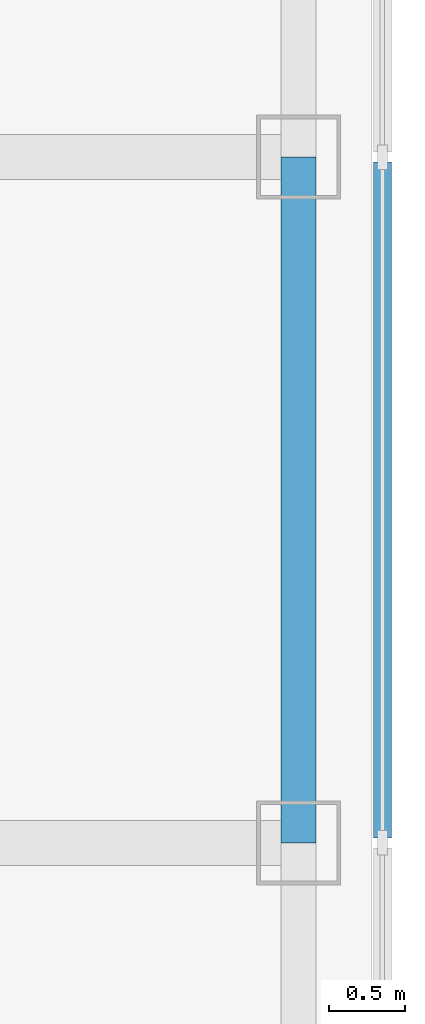
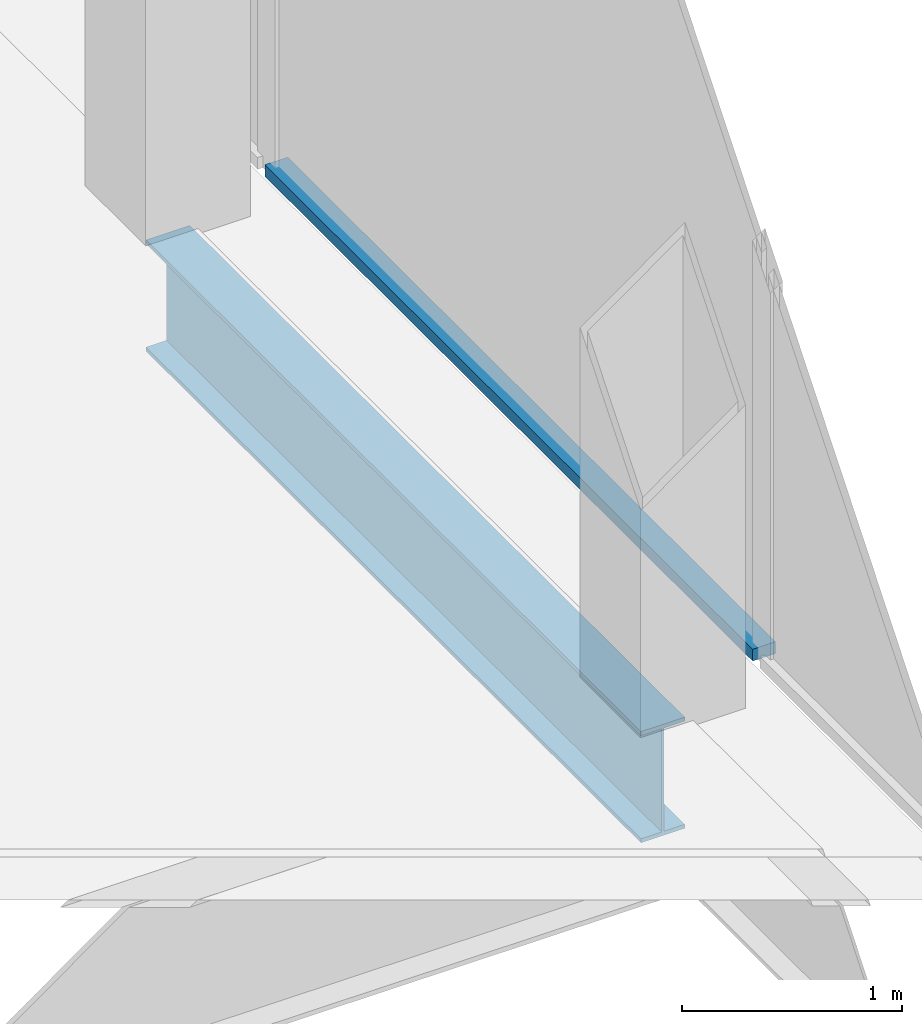
# One storey, part 5 of 13: 1 beam, 1 member, 1 element without a shape of its own.
"""IFC4 building model written with IfcOpenShell, lengths in metres."""

from ifc_helpers import new_model, si_unit, direction, frame, origin, origin_2d, place, context, subcontext, project, spatial, rectangle, i_section, extrude, material, material_profile, profile_set, type_object, element, aggregate, save


model = new_model("IFC4")

# Units and contexts
model_context = context("Model", 3, precision=1e-05, world=origin(), true_north=direction((0.0, 1.0)))
body_context = subcontext(model_context, "Body", "Model", "MODEL_VIEW")
ifc_project = project(units=[si_unit("LENGTHUNIT", "METRE"), si_unit("AREAUNIT", "SQUARE_METRE"), si_unit("VOLUMEUNIT", "CUBIC_METRE"), si_unit("PLANEANGLEUNIT", "RADIAN"), si_unit("MASSUNIT", "GRAM", prefix="KILO")], contexts=[model_context])

# Site, building, storey
site_placement = place(None, origin())
site = spatial("IfcSite", under=ifc_project, at=site_placement, CompositionType="ELEMENT")
building_placement = place(site_placement, origin())
building = spatial("IfcBuilding", under=site, at=building_placement, Name="Corais Broadcast Tower", CompositionType="ELEMENT")
storey_placement = place(building_placement, frame((0.0, 0.0, 310.60009765625)))
storey = spatial("IfcBuildingStorey", under=building, at=storey_placement, Name="L73", CompositionType="ELEMENT", Elevation=310.60009765625)

# Beam
ifc_material_1 = material(Name="Steel ASTM A572 Grade 50", Category="steel")
ifc_material_profile_1 = material_profile(ifc_material_1, i_section(OverallWidth=0.22998046875, OverallDepth=0.616943359375, WebThickness=0.01318359375, FlangeThickness=0.022216796875, at=origin_2d()), Name="W610x140")
ifc_profile_set_1 = profile_set([ifc_material_profile_1], Name="Steel ASTM A572 Grade 50")
beam_type = type_object("IfcBeamType", Name="Spandrel W610x140", PredefinedType="BEAM", material=ifc_profile_set_1)
beam_placement = place(storey_placement, frame((54.0, 27.0, -0.468505859375), z_axis=(0.0, 1.0, 0.0), x_axis=(-1.0, 0.0, 0.0)))
element("IfcBeam", 1, at=beam_placement, inside=storey, type_object=beam_type, Name="SB3 G/15 to H/15", PredefinedType="BEAM", context=body_context, shape_type="SweptSolid", body=[
    extrude(i_section(OverallWidth=0.22998046875, OverallDepth=0.616943359375, WebThickness=0.01318359375, FlangeThickness=0.022216796875, at=origin_2d()), origin(), (0.0, 0.0, 1.0), 4.5),
])

# Curtain wall, member
ifc_material_2 = material(Name="Aluminium and glass", Category="aluminium")
curtain_wall_type = type_object("IfcCurtainWallType", Name="Unitised fritted curtain wall CW3", PredefinedType="NOTDEFINED", material=ifc_material_2)
curtain_wall_placement = place(storey_placement, origin())
curtain_wall = element("IfcCurtainWall", 2, at=curtain_wall_placement, inside=storey, type_object=curtain_wall_type, Name="CW3 curtain wall L73 6", PredefinedType="NOTDEFINED")
ifc_material_3 = material(Name="Aluminium 6063-T6", Category="aluminium")
ifc_material_profile_2 = material_profile(ifc_material_3, rectangle(XDim=0.1201171875, YDim=0.06494140625, at=origin_2d()), Name="Transom CW3 65x120")
ifc_profile_set_2 = profile_set([ifc_material_profile_2], Name="Aluminium 6063-T6")
member_type = type_object("IfcMemberType", Name="Transom CW3 65x120", PredefinedType="USERDEFINED", material=ifc_profile_set_2)
member_placement = place(storey_placement, frame((54.550048828125, 31.467529296875, 0.032470703125), z_axis=(0.0, -1.0, 0.0), x_axis=(1.0, 0.0, 0.0)))
member = element("IfcMember", 3, at=member_placement, type_object=member_type, Name="CW3 transom 3.1", ObjectType="TRANSOM", PredefinedType="USERDEFINED", context=body_context, shape_type="SweptSolid", body=[
    extrude(rectangle(XDim=0.1201171875, YDim=0.06494140625, at=origin_2d()), origin(), (0.0, 0.0, 1.0), 4.43505859375),
])
aggregate(curtain_wall, [member])

save(model, "model.ifc")
